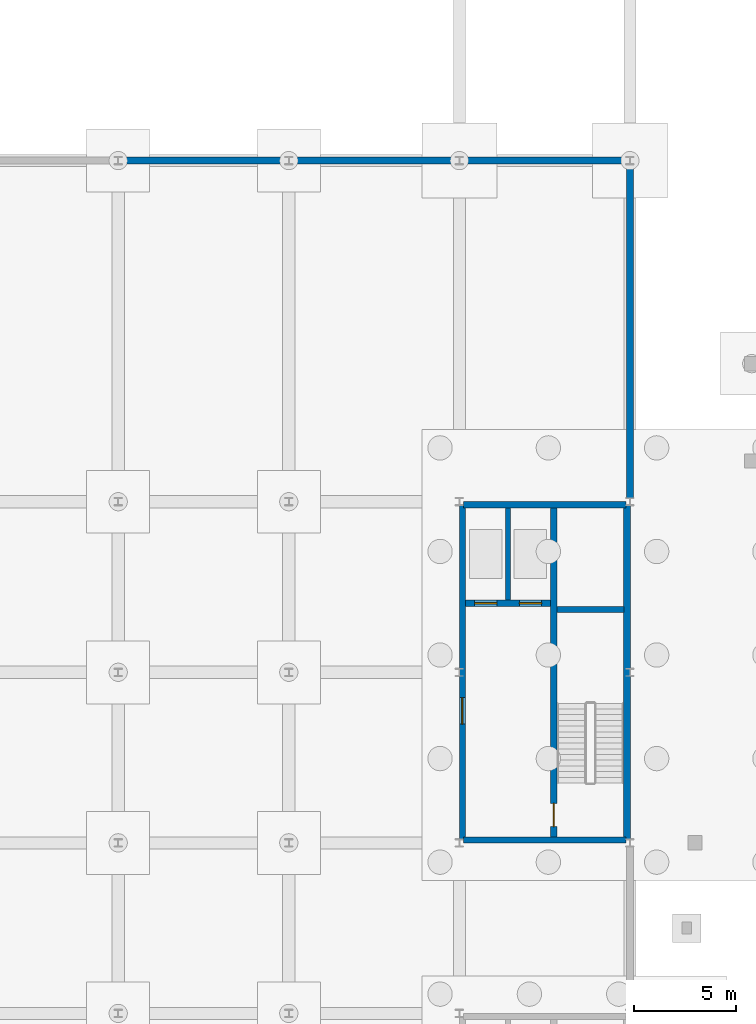
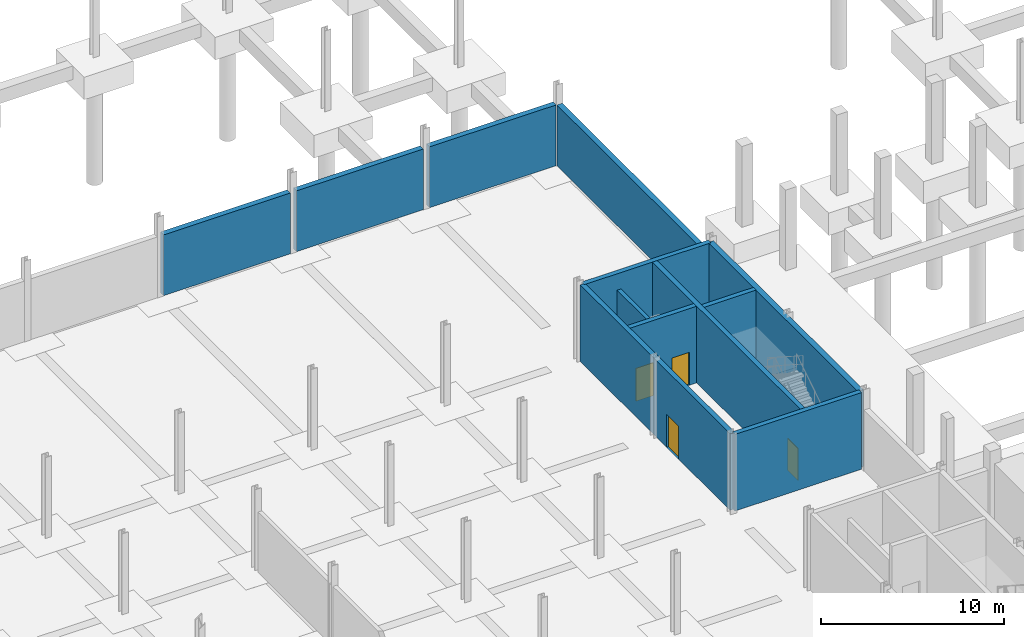
# One storey, part 28 of 36: 12 walls, 4 doors, 4 openings.
"""IFC4 building model written with IfcOpenShell, lengths in metres."""

import ifcopenshell
import ifcopenshell.guid

model = None  # the IFC model being written
_history = None  # IfcOwnerHistory: only IFC2X3 demands one
_inside = {}  # id of a spatial element -> (the spatial element, [elements in it])
_under = {}  # id of a project, library or spatial element -> (it, [spatial elements below it])
_declared = {}  # id of a project -> (the project, [libraries it declares])
_typed = {}  # id of a type object -> (the type object, [elements of that type])
_made_of = {}  # id of a material, layer set ... -> (it, [elements and type objects made of it])


def new_model(schema):
    """Start an empty IFC model of exactly this schema.

    Asked for "IFC4X3", IfcOpenShell would pick the latest addendum, in which some entities
    have other attributes; the version numbers below select the first issue.
    IFC2X3 requires an IfcOwnerHistory on every rooted entity: one is made here for all.
    """
    global model, _history
    if schema == "IFC4X3":
        model = ifcopenshell.file(schema_version=(4, 3, 0, 0))
    else:
        model = ifcopenshell.file(schema=schema)
    _inside.clear()
    _under.clear()
    _declared.clear()
    _typed.clear()
    _made_of.clear()
    _history = None
    if model.schema == "IFC2X3":
        org = make("IfcOrganization", Name="unknown")
        user = make(
            "IfcPersonAndOrganization",
            ThePerson=make("IfcPerson", FamilyName="unknown"),
            TheOrganization=org,
        )
        app = make(
            "IfcApplication",
            ApplicationDeveloper=org,
            Version="unknown",
            ApplicationFullName="unknown",
            ApplicationIdentifier="unknown",
        )
        _history = make(
            "IfcOwnerHistory",
            OwningUser=user,
            OwningApplication=app,
            ChangeAction="ADDED",
            CreationDate=0,
        )
    return model


def make(cls, **values):
    """One entity of the class cls with the attributes given. An attribute that is None is left unset."""
    return model.create_entity(
        cls, **{name: value for name, value in values.items() if value is not None}
    )


def rooted(cls, **values):
    """An entity with a GlobalId (a new one), such as an element, a storey or a relation."""
    return make(cls, GlobalId=ifcopenshell.guid.new(), OwnerHistory=_history, **values)


def si_unit(unit_type, name, prefix=None):
    """IfcSIUnit, for example si_unit("LENGTHUNIT", "METRE", prefix="MILLI")."""
    return make("IfcSIUnit", UnitType=unit_type, Prefix=prefix, Name=name)


def assignment(units):
    """IfcUnitAssignment: the units of a project."""
    return None if units is None else make("IfcUnitAssignment", Units=units)


def point(xyz):
    """IfcCartesianPoint."""
    return None if xyz is None else make("IfcCartesianPoint", Coordinates=xyz)


def direction(xyz):
    """IfcDirection."""
    return None if xyz is None else make("IfcDirection", DirectionRatios=xyz)


def frame(location, z_axis=None, x_axis=None):
    """IfcAxis2Placement3D, a coordinate frame: its origin and axes. An axis left out is left unset."""
    return make(
        "IfcAxis2Placement3D",
        Location=point(location),
        Axis=direction(z_axis),
        RefDirection=direction(x_axis),
    )


def frame_2d(location, x_axis=None):
    """IfcAxis2Placement2D, a coordinate frame in the plane: its origin and x axis."""
    return make(
        "IfcAxis2Placement2D", Location=point(location), RefDirection=direction(x_axis)
    )


def origin():
    """The frame at (0, 0, 0) with its axes left unset."""
    return frame((0.0, 0.0, 0.0))


def place(relative_to, where):
    """IfcLocalPlacement: puts the frame where relative to a parent placement (None: the world)."""
    return make(
        "IfcLocalPlacement", PlacementRelTo=relative_to, RelativePlacement=where
    )


def context(
    kind, dimensions, precision=None, world=None, true_north=None, identifier=None
):
    """IfcGeometricRepresentationContext, for example the 3D "Model" context."""
    return make(
        "IfcGeometricRepresentationContext",
        ContextIdentifier=identifier,
        ContextType=kind,
        CoordinateSpaceDimension=dimensions,
        Precision=precision,
        WorldCoordinateSystem=world,
        TrueNorth=true_north,
    )


def subcontext(parent, identifier, kind, view, scale=None):
    """IfcGeometricRepresentationSubContext, for example "Body" below "Model"."""
    return make(
        "IfcGeometricRepresentationSubContext",
        ContextIdentifier=identifier,
        ContextType=kind,
        ParentContext=parent,
        TargetScale=scale,
        TargetView=view,
    )


def project(units=None, contexts=None):
    """IfcProject with its units and contexts."""
    return rooted(
        "IfcProject",
        Name="project",
        RepresentationContexts=contexts,
        UnitsInContext=assignment(units),
    )


def spatial(cls, under=None, at=None, **own):
    """A site, building, storey or space (cls), placed at a placement, below another one or the project."""
    s = rooted(cls, ObjectPlacement=at, **own)
    if under is not None:
        _under.setdefault(under.id(), (under, []))[1].append(s)
    return s


def profile(cls, at=None, kind="AREA", **sizes):
    """A parametric profile (cls). Its sizes go by their IFC names, for example OverallWidth=200.0."""
    return make(cls, ProfileType=kind, Position=at, **sizes)


def rectangle(**sizes):
    """IfcRectangleProfileDef."""
    return profile("IfcRectangleProfileDef", **sizes)


def extrude(swept, where, along, depth):
    """IfcExtrudedAreaSolid: the profile swept, set in the frame where, extruded along a direction by depth."""
    return make(
        "IfcExtrudedAreaSolid",
        SweptArea=swept,
        Position=where,
        ExtrudedDirection=direction(along),
        Depth=depth,
    )


def shape(context_of_items, identifier, shape_type, items):
    """IfcShapeRepresentation: the items that make up one representation, for example the "Body"."""
    return make(
        "IfcShapeRepresentation",
        ContextOfItems=context_of_items,
        RepresentationIdentifier=identifier,
        RepresentationType=shape_type,
        Items=items,
    )


def material(Name=None, Category=None):
    """IfcMaterial."""
    return make("IfcMaterial", Name=Name, Category=Category)


def layer(
    of_material, thickness, ventilated=None, Name=None, Category=None, Priority=None
):
    """IfcMaterialLayer: one layer of a wall or slab, of a material (None: an air gap)."""
    return make(
        "IfcMaterialLayer",
        Material=of_material,
        LayerThickness=thickness,
        IsVentilated=ventilated,
        Name=Name,
        Category=Category,
        Priority=Priority,
    )


def layer_set(layers, Name=None):
    """IfcMaterialLayerSet."""
    return make("IfcMaterialLayerSet", MaterialLayers=layers, LayerSetName=Name)


def made_of(thing, what):
    """Note that an element or type object is made of a material, layer set ...; save() writes the relation."""
    if what is not None:
        _made_of.setdefault(what.id(), (what, []))[1].append(thing)
    return thing


def type_object(cls, material=None, **own):
    """A type object (cls), such as IfcWallType, which elements share."""
    return made_of(rooted(cls, **own), material)


def element(
    cls,
    number,
    at=None,
    inside=None,
    cuts=None,
    type_object=None,
    material=None,
    context=None,
    identifier="Body",
    shape_type=None,
    held_by="IfcProductDefinitionShape",
    body=None,
    shapes=None,
    **own,
):
    """One element of the class cls, such as IfcWall. Its Tag is "e" and its number.

    at: its placement. inside: the storey or other place that contains it. cuts: it is an
    opening in that element (IfcRelVoidsElement). A single representation is given by context,
    identifier, shape_type and body (its items); several are given by shapes. held_by: the class
    of the entity that holds the representations. save() writes the other relations.
    """
    e = rooted(cls, Tag="e%d" % number, ObjectPlacement=at, **own)
    if body is not None:
        shapes = [shape(context, identifier, shape_type, body)]
    if shapes is not None:
        e.Representation = make(held_by, Representations=shapes)
    if inside is not None:
        _inside.setdefault(inside.id(), (inside, []))[1].append(e)
    if cuts is not None:
        rooted(
            "IfcRelVoidsElement", RelatingBuildingElement=cuts, RelatedOpeningElement=e
        )
    if type_object is not None:
        _typed.setdefault(type_object.id(), (type_object, []))[1].append(e)
    return made_of(e, material)


def fill(opening, filler):
    """IfcRelFillsElement: the door or window that sits in an opening."""
    return rooted(
        "IfcRelFillsElement",
        RelatingOpeningElement=opening,
        RelatedBuildingElement=filler,
    )


def aggregate(whole, parts):
    """IfcRelAggregates: a whole, such as a stair, and the parts it consists of."""
    return rooted("IfcRelAggregates", RelatingObject=whole, RelatedObjects=parts)


def save(model, path):
    """Write the relations noted so far, then the file.

    IfcRelAggregates (storeys below a building ...), IfcRelContainedInSpatialStructure (elements
    in a storey), IfcRelDefinesByType, IfcRelAssociatesMaterial and IfcRelDeclares: one each for
    every whole, place, type object, material and project.
    """
    for whole, parts in _under.values():
        aggregate(whole, parts)
    for where, things in _inside.values():
        rooted(
            "IfcRelContainedInSpatialStructure",
            RelatedElements=things,
            RelatingStructure=where,
        )
    for kind, things in _typed.values():
        rooted("IfcRelDefinesByType", RelatedObjects=things, RelatingType=kind)
    for what, things in _made_of.values():
        rooted("IfcRelAssociatesMaterial", RelatedObjects=things, RelatingMaterial=what)
    for by, libraries in _declared.values():
        rooted("IfcRelDeclares", RelatingContext=by, RelatedDefinitions=libraries)
    model.write(path)


model = new_model("IFC4")

# Units and contexts
model_context = context("Model", 3, precision=1e-05, world=origin(), true_north=direction((0.0, 1.0)))
body_context = subcontext(model_context, "Body", "Model", "MODEL_VIEW")
ifc_project = project(units=[si_unit("LENGTHUNIT", "METRE"), si_unit("AREAUNIT", "SQUARE_METRE"), si_unit("VOLUMEUNIT", "CUBIC_METRE"), si_unit("PLANEANGLEUNIT", "RADIAN"), si_unit("MASSUNIT", "GRAM", prefix="KILO"), si_unit("THERMODYNAMICTEMPERATUREUNIT", "KELVIN"), si_unit("POWERUNIT", "WATT")], contexts=[model_context])

# Site, building, storey
site_placement = place(None, origin())
site = spatial("IfcSite", under=ifc_project, at=site_placement, CompositionType="ELEMENT")
building_placement = place(site_placement, origin())
building = spatial("IfcBuilding", under=site, at=building_placement, Name="Tembeka Court Mobility Hub", CompositionType="ELEMENT")
storey_placement = place(building_placement, frame((0.0, 0.0, -5.39990234375)))
storey = spatial("IfcBuildingStorey", under=building, at=storey_placement, Name="B1", CompositionType="ELEMENT", Elevation=-5.39990234375)

# Walls
ifc_material_1 = material(Name="Concrete C40/50", Category="concrete")
ifc_layer_1 = layer(ifc_material_1, 0.25)
ifc_layer_set_1 = layer_set([ifc_layer_1], Name="Concrete C40/50")
wall_type_1 = type_object("IfcWallType", Name="WL-IW01", PredefinedType="PARTITIONING", material=ifc_layer_set_1)
wall_1_placement = place(storey_placement, frame((86.39990234375, 75.550048828125, 0.0), z_axis=(0.0, 0.0, 1.0), x_axis=(0.0, 1.0, 0.0)))
element("IfcWall", 1, at=wall_1_placement, inside=storey, type_object=wall_type_1, Name="Wall IW01 (IW-B1-0072)", PredefinedType="PARTITIONING", context=body_context, shape_type="SweptSolid", body=[
    extrude(rectangle(XDim=4.550048828125, YDim=0.25, at=frame_2d((2.27490234375, 0.0))), origin(), (0.0, 0.0, 1.0), 4.02490234375),
])
ifc_layer_2 = layer(ifc_material_1, 0.340087890625)
ifc_layer_set_2 = layer_set([ifc_layer_2], Name="Concrete C40/50")
wall_type_2 = type_object("IfcWallType", Name="WL-RW01", PredefinedType="USERDEFINED", material=ifc_layer_set_2)
wall_2_placement = place(storey_placement, frame((67.3974609375, 97.199951171875, 0.0), z_axis=(0.0, 0.0, 1.0), x_axis=(1.0, 0.0, 0.0)))
element("IfcWall", 2, at=wall_2_placement, inside=storey, type_object=wall_type_2, Name="External wall RW01 (EW-B1-0018)", ObjectType="RETAININGWALL", PredefinedType="USERDEFINED", context=body_context, shape_type="SweptSolid", body=[
    extrude(rectangle(XDim=8.005126953125, YDim=0.340087890625, at=frame_2d((4.00244140625, 0.0))), origin(), (0.0, 0.0, 1.0), 4.059814453125),
])
for number, where, z_axis, x_axis, name in (
    (3, (75.797607421875, 97.199951171875, 0.0), (0.0, 0.0, 1.0), (1.0, 0.0, 0.0), "External wall RW01 (EW-B1-0020)"),
    (4, (84.197509765625, 97.199951171875, 0.0), (0.0, 0.0, 1.0), (1.0, 0.0, 0.0), "External wall RW01 (EW-B1-0022)"),
):
    element("IfcWall", number, at=place(storey_placement, frame(where, z_axis=z_axis, x_axis=x_axis)), inside=storey, type_object=wall_type_2, Name=name, ObjectType="RETAININGWALL", PredefinedType="USERDEFINED", context=body_context, shape_type="SweptSolid", body=[
        extrude(rectangle(XDim=8.0048828125, YDim=0.340087890625, at=frame_2d((4.00244140625, 0.0))), origin(), (0.0, 0.0, 1.0), 4.059814453125),
    ])
wall_3_placement = place(storey_placement, frame((92.39990234375, 80.594970703125, 0.0), z_axis=(0.0, 0.0, 1.0), x_axis=(0.0, 1.0, 0.0)))
element("IfcWall", 5, at=wall_3_placement, inside=storey, type_object=wall_type_2, Name="External wall RW01 (EW-B1-0036)", ObjectType="RETAININGWALL", PredefinedType="USERDEFINED", context=body_context, shape_type="SweptSolid", body=[
    extrude(rectangle(XDim=16.409912109375, YDim=0.340087890625, at=frame_2d((8.205078125, 0.0))), origin(), (0.0, 0.0, 1.0), 4.059814453125),
])
ifc_layer_3 = layer(ifc_material_1, 0.300048828125)
ifc_layer_set_3 = layer_set([ifc_layer_3], Name="Concrete C40/50")
wall_type_3 = type_object("IfcWallType", Name="WL-SW01", PredefinedType="SHEAR", material=ifc_layer_set_3)
for number, where, z_axis, x_axis, name in (
    (6, (84.197509765625, 63.75, 0.0), (0.0, 0.0, 1.0), (1.0, 0.0, 0.0), "Wall SW01 (IW-B1-0065)"),
    (7, (84.197509765625, 80.25, 0.0), (0.0, 0.0, 1.0), (1.0, 0.0, 0.0), "Wall SW01 (IW-B1-0066)"),
):
    element("IfcWall", number, at=place(storey_placement, frame(where, z_axis=z_axis, x_axis=x_axis)), inside=storey, type_object=wall_type_3, Name=name, PredefinedType="SHEAR", context=body_context, shape_type="SweptSolid", body=[
        extrude(rectangle(XDim=8.0048828125, YDim=0.300048828125, at=frame_2d((4.00244140625, 0.0))), origin(), (0.0, 0.0, 1.0), 5.119873046875),
    ])
wall_4_placement = place(storey_placement, frame((88.800048828125, 75.10009765625, 0.0), z_axis=(0.0, 0.0, 1.0), x_axis=(1.0, 0.0, 0.0)))
element("IfcWall", 8, at=wall_4_placement, inside=storey, type_object=wall_type_3, Name="Wall SW01 (IW-B1-0067)", PredefinedType="SHEAR", context=body_context, shape_type="SweptSolid", body=[
    extrude(rectangle(XDim=3.300048828125, YDim=0.300048828125, at=frame_2d((1.64990234375, 0.0))), origin(), (0.0, 0.0, 1.0), 5.119873046875),
])

# Wall, opening, door
wall_5_placement = place(storey_placement, frame((84.14990234375, 63.794921875, 0.0), z_axis=(0.0, 0.0, 1.0), x_axis=(0.0, 1.0, 0.0)))
wall_5 = element("IfcWall", 9, at=wall_5_placement, inside=storey, type_object=wall_type_3, Name="Wall SW01 (IW-B1-0069)", PredefinedType="SHEAR", context=body_context, shape_type="SweptSolid", body=[
    extrude(rectangle(XDim=16.41015625, YDim=0.300048828125, at=frame_2d((8.205078125, 0.0))), origin(), (0.0, 0.0, 1.0), 5.119873046875),
])
opening_1_placement = place(wall_5_placement, frame((5.655029296875, 0.0, 0.0)))
opening_1 = element("IfcOpeningElement", 10, at=opening_1_placement, cuts=wall_5, Name="Opening FD02", PredefinedType="OPENING", context=body_context, shape_type="SweptSolid", body=[
    extrude(rectangle(XDim=1.300048828125, YDim=2.199951171875, at=frame_2d((0.64990234375, 1.10009765625))), frame((0.0, 0.16015625, 0.0), z_axis=(0.0, -1.0, 0.0), x_axis=(1.0, 0.0, 0.0)), (0.0, 0.0, 1.0), 0.320068359375),
])
ifc_material_2 = material(Name="Galvanised steel fire/shutter doorset", Category="steel")
door_type_1 = type_object("IfcDoorType", Name="DR-FD02", OperationType="NOTDEFINED", PredefinedType="DOOR", material=ifc_material_2)
door_1_placement = place(opening_1_placement, origin())
door_1 = element("IfcDoor", 11, at=door_1_placement, inside=storey, type_object=door_type_1, Name="Door FD02-0034", OperationType="SINGLE_SWING_RIGHT", OverallHeight=2.199951171875, OverallWidth=1.300048828125, PredefinedType="DOOR", context=body_context, shape_type="SweptSolid", body=[
    extrude(rectangle(XDim=1.300048828125, YDim=2.199951171875, at=frame_2d((0.64990234375, 1.10009765625))), frame((0.0, 0.02490234375, 0.0), z_axis=(0.0, -1.0, 0.0), x_axis=(1.0, 0.0, 0.0)), (0.0, 0.0, 1.0), 0.050048828125),
])
fill(opening_1, door_1)

wall_6_placement = place(storey_placement, frame((88.64990234375, 63.89990234375, 0.0), z_axis=(0.0, 0.0, 1.0), x_axis=(0.0, 1.0, 0.0)))
wall_6 = element("IfcWall", 12, at=wall_6_placement, inside=storey, type_object=wall_type_3, Name="Wall SW01 (IW-B1-0070)", PredefinedType="SHEAR", context=body_context, shape_type="SweptSolid", body=[
    extrude(rectangle(XDim=16.2001953125, YDim=0.300048828125, at=frame_2d((8.10009765625, 0.0))), origin(), (0.0, 0.0, 1.0), 5.119873046875),
])
opening_2_placement = place(wall_6_placement, frame((0.5, 0.0, 0.0)))
opening_2 = element("IfcOpeningElement", 13, at=opening_2_placement, cuts=wall_6, Name="Opening FD03", PredefinedType="OPENING", context=body_context, shape_type="SweptSolid", body=[
    extrude(rectangle(XDim=1.14990234375, YDim=2.14990234375, at=frame_2d((0.574951171875, 1.074951171875))), frame((0.0, 0.16015625, 0.0), z_axis=(0.0, -1.0, 0.0), x_axis=(1.0, 0.0, 0.0)), (0.0, 0.0, 1.0), 0.320068359375),
])
door_type_2 = type_object("IfcDoorType", Name="DR-FD03", OperationType="NOTDEFINED", PredefinedType="DOOR", material=ifc_material_2)
door_2_placement = place(opening_2_placement, origin())
door_2 = element("IfcDoor", 14, at=door_2_placement, inside=storey, type_object=door_type_2, Name="Door FD03-0035", OperationType="SINGLE_SWING_RIGHT", OverallHeight=2.14990234375, OverallWidth=1.14990234375, PredefinedType="DOOR", context=body_context, shape_type="SweptSolid", body=[
    extrude(rectangle(XDim=1.14990234375, YDim=2.14990234375, at=frame_2d((0.574951171875, 1.074951171875))), frame((0.0, 0.02490234375, 0.0), z_axis=(0.0, -1.0, 0.0), x_axis=(1.0, 0.0, 0.0)), (0.0, 0.0, 1.0), 0.050048828125),
])
fill(opening_2, door_2)

# Wall, openings, doors
wall_7_placement = place(storey_placement, frame((84.300048828125, 75.39990234375, 0.0), z_axis=(0.0, 0.0, 1.0), x_axis=(1.0, 0.0, 0.0)))
wall_7 = element("IfcWall", 15, at=wall_7_placement, inside=storey, type_object=wall_type_3, Name="Wall SW01 (IW-B1-0071)", PredefinedType="SHEAR", context=body_context, shape_type="SweptSolid", body=[
    extrude(rectangle(XDim=4.199951171875, YDim=0.300048828125, at=frame_2d((2.10009765625, 0.0))), origin(), (0.0, 0.0, 1.0), 5.119873046875),
])
opening_3_placement = place(wall_7_placement, frame((0.449951171875, 0.0, 0.0)))
opening_3 = element("IfcOpeningElement", 16, at=opening_3_placement, cuts=wall_7, Name="Opening LD01", PredefinedType="OPENING", context=body_context, shape_type="SweptSolid", body=[
    extrude(rectangle(XDim=1.10009765625, YDim=2.199951171875, at=frame_2d((0.550048828125, 1.10009765625))), frame((0.0, 0.16015625, 0.0), z_axis=(0.0, -1.0, 0.0), x_axis=(1.0, 0.0, 0.0)), (0.0, 0.0, 1.0), 0.320068359375),
])
opening_4_placement = place(wall_7_placement, frame((2.64990234375, 0.0, 0.0)))
opening_4 = element("IfcOpeningElement", 17, at=opening_4_placement, cuts=wall_7, Name="Opening LD01", PredefinedType="OPENING", context=body_context, shape_type="SweptSolid", body=[
    extrude(rectangle(XDim=1.10009765625, YDim=2.199951171875, at=frame_2d((0.550048828125, 1.10009765625))), frame((0.0, 0.16015625, 0.0), z_axis=(0.0, -1.0, 0.0), x_axis=(1.0, 0.0, 0.0)), (0.0, 0.0, 1.0), 0.320068359375),
])
door_type_3 = type_object("IfcDoorType", Name="DR-LD01", OperationType="SLIDING_TO_LEFT", PredefinedType="DOOR", material=ifc_material_2)
door_3_placement = place(opening_3_placement, origin())
door_3 = element("IfcDoor", 18, at=door_3_placement, inside=storey, type_object=door_type_3, Name="Lift LF02 landing door B1", OperationType="SLIDING_TO_LEFT", OverallHeight=2.199951171875, OverallWidth=1.10009765625, PredefinedType="DOOR", context=body_context, shape_type="SweptSolid", body=[
    extrude(rectangle(XDim=1.10009765625, YDim=2.199951171875, at=frame_2d((0.550048828125, 1.10009765625))), frame((0.0, 0.02490234375, 0.0), z_axis=(0.0, -1.0, 0.0), x_axis=(1.0, 0.0, 0.0)), (0.0, 0.0, 1.0), 0.050048828125),
])
fill(opening_3, door_3)
door_4_placement = place(opening_4_placement, origin())
door_4 = element("IfcDoor", 19, at=door_4_placement, inside=storey, type_object=door_type_3, Name="Lift LF04 landing door B1", OperationType="SLIDING_TO_LEFT", OverallHeight=2.199951171875, OverallWidth=1.10009765625, PredefinedType="DOOR", context=body_context, shape_type="SweptSolid", body=[
    extrude(rectangle(XDim=1.10009765625, YDim=2.199951171875, at=frame_2d((0.550048828125, 1.10009765625))), frame((0.0, 0.02490234375, 0.0), z_axis=(0.0, -1.0, 0.0), x_axis=(1.0, 0.0, 0.0)), (0.0, 0.0, 1.0), 0.050048828125),
])
fill(opening_4, door_4)

# Wall
ifc_layer_4 = layer(ifc_material_1, 0.35009765625)
ifc_layer_set_4 = layer_set([ifc_layer_4], Name="Concrete C40/50")
wall_type_4 = type_object("IfcWallType", Name="WL-SW02", PredefinedType="SHEAR", material=ifc_layer_set_4)
wall_8_placement = place(storey_placement, frame((92.25, 63.794921875, 0.0), z_axis=(0.0, 0.0, 1.0), x_axis=(0.0, 1.0, 0.0)))
element("IfcWall", 20, at=wall_8_placement, inside=storey, type_object=wall_type_4, Name="Wall SW02 (IW-B1-0068)", PredefinedType="SHEAR", context=body_context, shape_type="SweptSolid", body=[
    extrude(rectangle(XDim=16.41015625, YDim=0.35009765625, at=frame_2d((8.205078125, 0.0))), origin(), (0.0, 0.0, 1.0), 5.119873046875),
])

save(model, "model.ifc")
